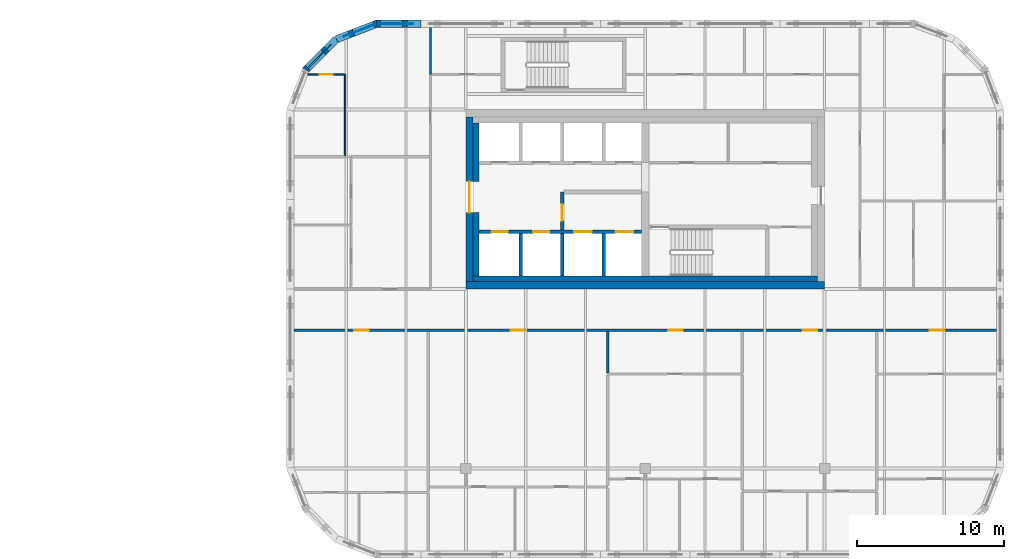
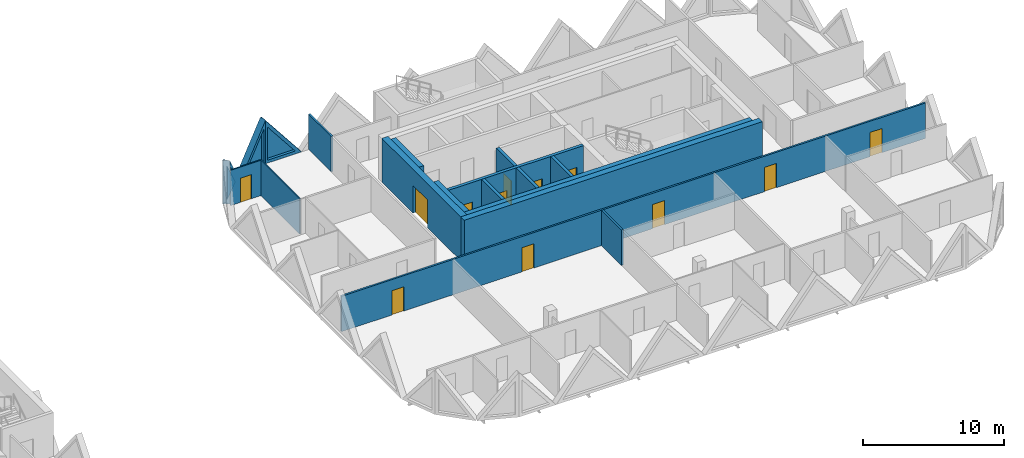
# One storey, part 13 of 19: 18 walls, 12 doors, 3 plates, 15 openings.
"""IFC4 building model written with IfcOpenShell, lengths in metres."""

from ifc_helpers import new_model, si_unit, direction, frame, frame_2d, origin, place, context, subcontext, project, spatial, polyline, rectangle, outline, extrude, faceted_brep, source, transform, mapped, material, layer, layer_set, type_object, element, fill, save


model = new_model("IFC4")

# Units and contexts
model_context = context("Model", 3, precision=1e-05, world=origin(), true_north=direction((0.0, 1.0)))
body_context = subcontext(model_context, "Body", "Model", "MODEL_VIEW")
ifc_project = project(units=[si_unit("LENGTHUNIT", "METRE"), si_unit("AREAUNIT", "SQUARE_METRE"), si_unit("VOLUMEUNIT", "CUBIC_METRE"), si_unit("PLANEANGLEUNIT", "RADIAN"), si_unit("MASSUNIT", "GRAM", prefix="KILO")], contexts=[model_context])

# Site, building, storey
site_placement = place(None, origin())
site = spatial("IfcSite", under=ifc_project, at=site_placement, CompositionType="ELEMENT")
building_placement = place(site_placement, origin())
building = spatial("IfcBuilding", under=site, at=building_placement, Name="Tessera Gate Towers", CompositionType="ELEMENT")
storey_placement = place(building_placement, frame((0.0, 0.0, 68.60009765625)))
storey = spatial("IfcBuildingStorey", under=building, at=storey_placement, Name="L16", CompositionType="ELEMENT", Elevation=68.60009765625)

# Wall, openings, doors
ifc_material_1 = material(Name="Concrete C40/50", Category="concrete")
ifc_layer_1 = layer(ifc_material_1, 0.25)
ifc_layer_set_1 = layer_set([ifc_layer_1], Name="CORE ENCLOSURE WALL 250")
wall_type_1 = type_object("IfcWallType", Name="CORE ENCLOSURE WALL 250", PredefinedType="SOLIDWALL", material=ifc_layer_set_1)
wall_1_placement = place(storey_placement, frame((98.5, 40.5, 0.0), z_axis=(0.0, 0.0, 1.0), x_axis=(1.0, 0.0, 0.0)))
wall_1 = element("IfcWall", 1, at=wall_1_placement, inside=storey, type_object=wall_type_1, Name="L16 shaft and stair enclosure wall", PredefinedType="SOLIDWALL", context=body_context, shape_type="SweptSolid", body=[
    extrude(rectangle(XDim=11.050048828125, YDim=0.25, at=frame_2d((5.52490234375, 0.0))), origin(), (0.0, 0.0, 1.0), 3.7998046875),
])
shared_shape_1 = source(origin(), body_context, "Body", "SweptSolid", [
    extrude(rectangle(XDim=1.10009765625, YDim=2.10009765625, at=frame_2d((0.550048828125, 1.050048828125))), frame((0.0, 0.135009765625, 0.0), z_axis=(0.0, -1.0, 0.0), x_axis=(1.0, 0.0, 0.0)), (0.0, 0.0, 1.0), 0.27001953125),
])
opening_1_placement = place(wall_1_placement, frame((0.862548828125, 0.0, 0.0)))
opening_1 = element("IfcOpeningElement", 2, at=opening_1_placement, cuts=wall_1, Name="Opening LD-TL1", PredefinedType="OPENING", context=body_context, shape_type="MappedRepresentation", body=[
    mapped(shared_shape_1, transform((0.0, 0.0, 0.0), scale=1.0)),
])
opening_2_placement = place(wall_1_placement, frame((3.6875, 0.0, 0.0)))
opening_2 = element("IfcOpeningElement", 3, at=opening_2_placement, cuts=wall_1, Name="Opening LD-TL2", PredefinedType="OPENING", context=body_context, shape_type="MappedRepresentation", body=[
    mapped(shared_shape_1, transform((0.0, 0.0, 0.0), scale=1.0)),
])
shared_shape_2 = source(origin(), body_context, "Body", "SweptSolid", [
    extrude(rectangle(XDim=1.199951171875, YDim=2.10009765625, at=frame_2d((0.60009765625, 1.050048828125))), frame((0.0, 0.135009765625, 0.0), z_axis=(0.0, -1.0, 0.0), x_axis=(1.0, 0.0, 0.0)), (0.0, 0.0, 1.0), 0.27001953125),
])
opening_3_placement = place(wall_1_placement, frame((6.46240234375, 0.0, 0.0)))
opening_3 = element("IfcOpeningElement", 4, at=opening_3_placement, cuts=wall_1, Name="Opening LD-FF3", PredefinedType="OPENING", context=body_context, shape_type="MappedRepresentation", body=[
    mapped(shared_shape_2, transform((0.0, 0.0, 0.0), scale=1.0)),
])
opening_4_placement = place(wall_1_placement, frame((9.28759765625, 0.0, 0.0)))
opening_4 = element("IfcOpeningElement", 5, at=opening_4_placement, cuts=wall_1, Name="Opening LD-FF4", PredefinedType="OPENING", context=body_context, shape_type="MappedRepresentation", body=[
    mapped(shared_shape_2, transform((0.0, 0.0, 0.0), scale=1.0)),
])
ifc_material_2 = material(Name="Stainless steel", Category="steel")
door_type_1 = type_object("IfcDoorType", Name="CORE DOOR LD1200 1200x2100", OperationType="DOUBLE_DOOR_SLIDING", PredefinedType="DOOR", material=ifc_material_2)
shared_shape_3 = source(origin(), body_context, "Body", "SweptSolid", [
    extrude(rectangle(XDim=1.199951171875, YDim=2.10009765625, at=frame_2d((0.60009765625, 1.050048828125))), frame((0.0, 0.02490234375, 0.0), z_axis=(0.0, -1.0, 0.0), x_axis=(1.0, 0.0, 0.0)), (0.0, 0.0, 1.0), 0.050048828125),
])
door_1_placement = place(opening_3_placement, origin())
door_1 = element("IfcDoor", 6, at=door_1_placement, inside=storey, type_object=door_type_1, Name="Landing door FF3 L16", OperationType="DOUBLE_DOOR_SLIDING", OverallHeight=2.10009765625, OverallWidth=1.199951171875, PredefinedType="DOOR", context=body_context, shape_type="MappedRepresentation", body=[
    mapped(shared_shape_3, transform((0.0, 0.0, 0.0), scale=1.0)),
])
fill(opening_3, door_1)
door_2_placement = place(opening_4_placement, origin())
door_2 = element("IfcDoor", 7, at=door_2_placement, inside=storey, type_object=door_type_1, Name="Landing door FF4 L16", OperationType="DOUBLE_DOOR_SLIDING", OverallHeight=2.10009765625, OverallWidth=1.199951171875, PredefinedType="DOOR", context=body_context, shape_type="MappedRepresentation", body=[
    mapped(shared_shape_3, transform((0.0, 0.0, 0.0), scale=1.0)),
])
fill(opening_4, door_2)
ifc_material_3 = material(Name="Stainless steel", Category="steel")
door_type_2 = type_object("IfcDoorType", Name="CORE DOOR LD 1100x2100", OperationType="DOUBLE_DOOR_SLIDING", PredefinedType="DOOR", material=ifc_material_3)
shared_shape_4 = source(origin(), body_context, "Body", "SweptSolid", [
    extrude(rectangle(XDim=1.10009765625, YDim=2.10009765625, at=frame_2d((0.550048828125, 1.050048828125))), frame((0.0, 0.02490234375, 0.0), z_axis=(0.0, -1.0, 0.0), x_axis=(1.0, 0.0, 0.0)), (0.0, 0.0, 1.0), 0.050048828125),
])
door_3_placement = place(opening_1_placement, origin())
door_3 = element("IfcDoor", 8, at=door_3_placement, inside=storey, type_object=door_type_2, Name="Landing door TL1 L16", OperationType="DOUBLE_DOOR_SLIDING", OverallHeight=2.10009765625, OverallWidth=1.10009765625, PredefinedType="DOOR", context=body_context, shape_type="MappedRepresentation", body=[
    mapped(shared_shape_4, transform((0.0, 0.0, 0.0), scale=1.0)),
])
fill(opening_1, door_3)
door_4_placement = place(opening_2_placement, origin())
door_4 = element("IfcDoor", 9, at=door_4_placement, inside=storey, type_object=door_type_2, Name="Landing door TL2 L16", OperationType="DOUBLE_DOOR_SLIDING", OverallHeight=2.10009765625, OverallWidth=1.10009765625, PredefinedType="DOOR", context=body_context, shape_type="MappedRepresentation", body=[
    mapped(shared_shape_4, transform((0.0, 0.0, 0.0), scale=1.0)),
])
fill(opening_2, door_4)

# Wall
wall_2_placement = place(storey_placement, frame((104.14990234375, 37.5, 0.0), z_axis=(0.0, 0.0, 1.0), x_axis=(0.0, 1.0, 0.0)))
element("IfcWall", 10, at=wall_2_placement, inside=storey, type_object=wall_type_1, Name="L16 shaft and stair enclosure wall", PredefinedType="SOLIDWALL", context=body_context, shape_type="SweptSolid", body=[
    extrude(rectangle(XDim=2.875, YDim=0.25, at=frame_2d((1.4375, 0.0))), origin(), (0.0, 0.0, 1.0), 3.7998046875),
])

# Wall, opening, door
wall_3_placement = place(storey_placement, frame((104.14990234375, 43.199951171875, 0.0), z_axis=(0.0, 0.0, 1.0), x_axis=(0.0, -1.0, 0.0)))
wall_3 = element("IfcWall", 11, at=wall_3_placement, inside=storey, type_object=wall_type_1, Name="L16 shaft and stair enclosure wall", PredefinedType="SOLIDWALL", context=body_context, shape_type="SweptSolid", body=[
    extrude(rectangle(XDim=2.574951171875, YDim=0.25, at=frame_2d((1.28759765625, 0.0))), origin(), (0.0, 0.0, 1.0), 3.7998046875),
])
opening_5_placement = place(wall_3_placement, frame((0.85009765625, 0.0, 0.0)))
opening_5 = element("IfcOpeningElement", 12, at=opening_5_placement, cuts=wall_3, Name="Opening FD-T2-09-03", PredefinedType="OPENING", context=body_context, shape_type="MappedRepresentation", body=[
    mapped(shared_shape_1, transform((0.0, 0.0, 0.0), scale=1.0)),
])
ifc_material_4 = material(Name="Hollow steel fire door", Category="steel")
door_type_3 = type_object("IfcDoorType", Name="CORE DOOR FD 1100x2100", OperationType="NOTDEFINED", PredefinedType="DOOR", material=ifc_material_4)
door_5_placement = place(opening_5_placement, origin())
door_5 = element("IfcDoor", 13, at=door_5_placement, inside=storey, type_object=door_type_3, Name="Fire-fighting lobby door", OperationType="SINGLE_SWING_RIGHT", OverallHeight=2.10009765625, OverallWidth=1.10009765625, PredefinedType="DOOR", context=body_context, shape_type="MappedRepresentation", body=[
    mapped(shared_shape_4, transform((0.0, 0.0, 0.0), scale=1.0)),
])
fill(opening_5, door_5)

# Walls
for number, where, z_axis, x_axis, name in (
    (14, (101.324951171875, 37.5, 0.0), (0.0, 0.0, 1.0), (0.0, 1.0, 0.0), "L16 shaft and stair enclosure wall"),
    (15, (106.97509765625, 37.5, 0.0), (0.0, 0.0, 1.0), (0.0, 1.0, 0.0), "L16 shaft and stair enclosure wall"),
):
    element("IfcWall", number, at=place(storey_placement, frame(where, z_axis=z_axis, x_axis=x_axis)), inside=storey, type_object=wall_type_1, Name=name, PredefinedType="SOLIDWALL", context=body_context, shape_type="SweptSolid", body=[
        extrude(rectangle(XDim=2.875, YDim=0.25, at=frame_2d((1.4375, 0.0))), origin(), (0.0, 0.0, 1.0), 3.7998046875),
    ])
ifc_material_5 = material(Name="Concrete C50/60", Category="concrete")
ifc_layer_2 = layer(ifc_material_5, 0.5)
ifc_layer_set_2 = layer_set([ifc_layer_2], Name="CORE SHEAR WALL 500 C50/60")
wall_type_2 = type_object("IfcWallType", Name="CORE SHEAR WALL 500 C50/60", PredefinedType="SHEAR", material=ifc_layer_set_2)
wall_4_placement = place(storey_placement, frame((122.0, 36.85009765625, 0.0), z_axis=(0.0, 0.0, 1.0), x_axis=(-1.0, 0.0, 0.0)))
element("IfcWall", 16, at=wall_4_placement, inside=storey, type_object=wall_type_2, Name="Core wall S L16", PredefinedType="SHEAR", context=body_context, shape_type="SweptSolid", body=[
    extrude(rectangle(XDim=24.39990234375, YDim=0.5, at=frame_2d((12.199951171875, 0.0))), origin(), (0.0, 0.0, 1.0), 3.7998046875),
])

# Wall, opening, door
wall_5_placement = place(storey_placement, frame((97.85009765625, 37.10009765625, 0.0), z_axis=(0.0, 0.0, 1.0), x_axis=(0.0, 1.0, 0.0)))
wall_5 = element("IfcWall", 17, at=wall_5_placement, inside=storey, type_object=wall_type_2, Name="Core wall W L16", PredefinedType="SHEAR", context=body_context, shape_type="SweptSolid", body=[
    extrude(rectangle(XDim=11.199951171875, YDim=0.5, at=frame_2d((5.60009765625, 0.0))), origin(), (0.0, 0.0, 1.0), 3.7998046875),
])
shared_shape_5 = source(origin(), body_context, "Body", "SweptSolid", [
    extrude(rectangle(XDim=2.10009765625, YDim=2.39990234375, at=frame_2d((1.050048828125, 1.199951171875))), frame((0.0, 0.260009765625, 0.0), z_axis=(0.0, -1.0, 0.0), x_axis=(1.0, 0.0, 0.0)), (0.0, 0.0, 1.0), 0.52001953125),
])
opening_6_placement = place(wall_5_placement, frame((4.699951171875, 0.0, 0.0)))
opening_6 = element("IfcOpeningElement", 18, at=opening_6_placement, cuts=wall_5, Name="Opening DD-T2-09-01", PredefinedType="OPENING", context=body_context, shape_type="MappedRepresentation", body=[
    mapped(shared_shape_5, transform((0.0, 0.0, 0.0), scale=1.0)),
])
ifc_material_6 = material(Name="Hollow steel fire door", Category="steel")
door_type_4 = type_object("IfcDoorType", Name="CORE DOOR DD 2100x2400", OperationType="NOTDEFINED", PredefinedType="DOOR", material=ifc_material_6)
shared_shape_6 = source(origin(), body_context, "Body", "SweptSolid", [
    extrude(rectangle(XDim=2.10009765625, YDim=2.39990234375, at=frame_2d((1.050048828125, 1.199951171875))), frame((0.0, 0.02490234375, 0.0), z_axis=(0.0, -1.0, 0.0), x_axis=(1.0, 0.0, 0.0)), (0.0, 0.0, 1.0), 0.050048828125),
])
door_6_placement = place(opening_6_placement, origin())
door_6 = element("IfcDoor", 19, at=door_6_placement, inside=storey, type_object=door_type_4, Name="Core entrance door", OperationType="DOUBLE_DOOR_SINGLE_SWING", OverallHeight=2.39990234375, OverallWidth=2.10009765625, PredefinedType="DOOR", context=body_context, shape_type="MappedRepresentation", body=[
    mapped(shared_shape_6, transform((0.0, 0.0, 0.0), scale=1.0)),
])
fill(opening_6, door_6)

# Walls
ifc_material_7 = material(Name="Concrete C50/60", Category="concrete")
ifc_layer_3 = layer(ifc_material_7, 0.39990234375)
ifc_layer_set_3 = layer_set([ifc_layer_3], Name="CORE WALL THICKENING 400")
wall_type_3 = type_object("IfcWallType", Name="CORE WALL THICKENING 400", PredefinedType="SOLIDWALL", material=ifc_layer_set_3)
wall_6_placement = place(storey_placement, frame((98.10009765625, 37.300048828125, 0.0), z_axis=(0.0, 0.0, 1.0), x_axis=(1.0, 0.0, 0.0)))
element("IfcWall", 20, at=wall_6_placement, inside=storey, type_object=wall_type_3, Name="Core wall thickening S L16", PredefinedType="SOLIDWALL", context=body_context, shape_type="SweptSolid", body=[
    extrude(rectangle(XDim=23.39990234375, YDim=0.39990234375, at=frame_2d((11.699951171875, 0.0))), origin(), (0.0, 0.0, 1.0), 3.7998046875),
])
wall_7_placement = place(storey_placement, frame((98.300048828125, 37.5, 0.0), z_axis=(0.0, 0.0, 1.0), x_axis=(0.0, 1.0, 0.0)))
element("IfcWall", 21, at=wall_7_placement, inside=storey, type_object=wall_type_3, Name="Core wall thickening W L16", PredefinedType="SOLIDWALL", context=body_context, shape_type="SweptSolid", body=[
    extrude(rectangle(XDim=4.300048828125, YDim=0.39990234375, at=frame_2d((2.14990234375, 0.0))), origin(), (0.0, 0.0, 1.0), 3.7998046875),
])
wall_8_placement = place(storey_placement, frame((98.300048828125, 43.89990234375, 0.0), z_axis=(0.0, 0.0, 1.0), x_axis=(0.0, 1.0, 0.0)))
element("IfcWall", 22, at=wall_8_placement, inside=storey, type_object=wall_type_3, Name="Core wall thickening W L16", PredefinedType="SOLIDWALL", context=body_context, shape_type="SweptSolid", body=[
    extrude(rectangle(XDim=4.0, YDim=0.39990234375, at=frame_2d((2.0, 0.0))), origin(), (0.0, 0.0, 1.0), 3.7998046875),
])

# Wall, openings, doors
ifc_material_8 = material(Name="Gypsum board on steel studs, mineral wool", Category="steel")
ifc_layer_4 = layer(ifc_material_8, 0.14990234375)
ifc_layer_set_4 = layer_set([ifc_layer_4], Name="CORRIDOR WALL 150")
wall_type_4 = type_object("IfcWallType", Name="CORRIDOR WALL 150", PredefinedType="PARTITIONING", material=ifc_layer_set_4)
wall_9_placement = place(storey_placement, frame((133.699951171875, 33.800048828125, 0.0), z_axis=(0.0, 0.0, 1.0), x_axis=(-1.0, 0.0, 0.0)))
wall_9 = element("IfcWall", 23, at=wall_9_placement, inside=storey, type_object=wall_type_4, Name="T2-L16-PW-027", PredefinedType="PARTITIONING", context=body_context, shape_type="SweptSolid", body=[
    extrude(rectangle(XDim=47.800048828125, YDim=0.14990234375, at=frame_2d((23.89990234375, 0.0))), origin(), (0.0, 0.0, 1.0), 3.06689453125),
])
shared_shape_7 = source(origin(), body_context, "Body", "SweptSolid", [
    extrude(rectangle(XDim=1.0, YDim=2.10009765625, at=frame_2d((0.5, 1.050048828125))), frame((0.0, 0.0849609375, 0.0), z_axis=(0.0, -1.0, 0.0), x_axis=(1.0, 0.0, 0.0)), (0.0, 0.0, 1.0), 0.169921875),
])
opening_7_placement = place(wall_9_placement, frame((3.549072265625, 0.0, 0.0)))
opening_7 = element("IfcOpeningElement", 24, at=opening_7_placement, cuts=wall_9, Name="Opening D2100FD60-B07-04", PredefinedType="OPENING", context=body_context, shape_type="MappedRepresentation", body=[
    mapped(shared_shape_7, transform((0.0, 0.0, 0.0), scale=1.0)),
])
opening_8_placement = place(wall_9_placement, frame((42.699951171875, 0.0, 0.0)))
opening_8 = element("IfcOpeningElement", 25, at=opening_8_placement, cuts=wall_9, Name="Opening D2100FD60-B07-05", PredefinedType="OPENING", context=body_context, shape_type="MappedRepresentation", body=[
    mapped(shared_shape_7, transform((0.0, 0.0, 0.0), scale=1.0)),
])
opening_9_placement = place(wall_9_placement, frame((12.198974609375, 0.0, 0.0)))
opening_9 = element("IfcOpeningElement", 26, at=opening_9_placement, cuts=wall_9, Name="Opening D2100FD60-B07-06", PredefinedType="OPENING", context=body_context, shape_type="MappedRepresentation", body=[
    mapped(shared_shape_7, transform((0.0, 0.0, 0.0), scale=1.0)),
])
opening_10_placement = place(wall_9_placement, frame((21.34912109375, 0.0, 0.0)))
opening_10 = element("IfcOpeningElement", 27, at=opening_10_placement, cuts=wall_9, Name="Opening D2100FD60-B07-07", PredefinedType="OPENING", context=body_context, shape_type="MappedRepresentation", body=[
    mapped(shared_shape_7, transform((0.0, 0.0, 0.0), scale=1.0)),
])
opening_11_placement = place(wall_9_placement, frame((32.050048828125, 0.0, 0.0)))
opening_11 = element("IfcOpeningElement", 28, at=opening_11_placement, cuts=wall_9, Name="Opening D2100FD60-B07-08", PredefinedType="OPENING", context=body_context, shape_type="MappedRepresentation", body=[
    mapped(shared_shape_7, transform((0.0, 0.0, 0.0), scale=1.0)),
])
ifc_material_9 = material(Name="Timber door leaf in steel frame", Category="steel")
door_type_5 = type_object("IfcDoorType", Name="TENANCY ENTRANCE DOOR 1000 FD60", OperationType="NOTDEFINED", PredefinedType="DOOR", material=ifc_material_9)
shared_shape_8 = source(origin(), body_context, "Body", "SweptSolid", [
    extrude(rectangle(XDim=1.0, YDim=2.10009765625, at=frame_2d((0.5, 1.050048828125))), frame((0.0, 0.02490234375, 0.0), z_axis=(0.0, -1.0, 0.0), x_axis=(1.0, 0.0, 0.0)), (0.0, 0.0, 1.0), 0.050048828125),
])
door_7_placement = place(opening_7_placement, origin())
door_7 = element("IfcDoor", 29, at=door_7_placement, inside=storey, type_object=door_type_5, Name="T2-L16-PD-018", OperationType="SINGLE_SWING_RIGHT", OverallHeight=2.10009765625, OverallWidth=1.0, PredefinedType="DOOR", context=body_context, shape_type="MappedRepresentation", body=[
    mapped(shared_shape_8, transform((0.0, 0.0, 0.0), scale=1.0)),
])
fill(opening_7, door_7)
door_8_placement = place(opening_8_placement, origin())
door_8 = element("IfcDoor", 30, at=door_8_placement, inside=storey, type_object=door_type_5, Name="T2-L16-PD-021", OperationType="SINGLE_SWING_RIGHT", OverallHeight=2.10009765625, OverallWidth=1.0, PredefinedType="DOOR", context=body_context, shape_type="MappedRepresentation", body=[
    mapped(shared_shape_8, transform((0.0, 0.0, 0.0), scale=1.0)),
])
fill(opening_8, door_8)
door_9_placement = place(opening_9_placement, origin())
door_9 = element("IfcDoor", 31, at=door_9_placement, inside=storey, type_object=door_type_5, Name="T2-L16-PD-022", OperationType="SINGLE_SWING_RIGHT", OverallHeight=2.10009765625, OverallWidth=1.0, PredefinedType="DOOR", context=body_context, shape_type="MappedRepresentation", body=[
    mapped(shared_shape_8, transform((0.0, 0.0, 0.0), scale=1.0)),
])
fill(opening_9, door_9)
door_10_placement = place(opening_10_placement, origin())
door_10 = element("IfcDoor", 32, at=door_10_placement, inside=storey, type_object=door_type_5, Name="T2-L16-PD-023", OperationType="SINGLE_SWING_RIGHT", OverallHeight=2.10009765625, OverallWidth=1.0, PredefinedType="DOOR", context=body_context, shape_type="MappedRepresentation", body=[
    mapped(shared_shape_8, transform((0.0, 0.0, 0.0), scale=1.0)),
])
fill(opening_10, door_10)
door_11_placement = place(opening_11_placement, origin())
door_11 = element("IfcDoor", 33, at=door_11_placement, inside=storey, type_object=door_type_5, Name="T2-L16-PD-027", OperationType="SINGLE_SWING_RIGHT", OverallHeight=2.10009765625, OverallWidth=1.0, PredefinedType="DOOR", context=body_context, shape_type="MappedRepresentation", body=[
    mapped(shared_shape_8, transform((0.0, 0.0, 0.0), scale=1.0)),
])
fill(opening_11, door_11)

# Wall
ifc_material_10 = material(Name="Gypsum board on steel studs", Category="steel")
ifc_layer_5 = layer(ifc_material_10, 0.10009765625)
ifc_layer_set_5 = layer_set([ifc_layer_5], Name="PARTITION 100")
wall_type_5 = type_object("IfcWallType", Name="PARTITION 100", PredefinedType="PARTITIONING", material=ifc_layer_set_5)
wall_10_placement = place(storey_placement, frame((89.39501953125, 45.676025390625, 0.0), z_axis=(0.0, 0.0, 1.0), x_axis=(0.0, 1.0, 0.0)))
element("IfcWall", 34, at=wall_10_placement, inside=storey, type_object=wall_type_5, Name="T2-L16-PW-042", PredefinedType="PARTITIONING", context=body_context, shape_type="SweptSolid", body=[
    extrude(rectangle(XDim=5.52392578125, YDim=0.10009765625, at=frame_2d((2.761962890625, 0.0))), origin(), (0.0, 0.0, 1.0), 3.06689453125),
])

# Wall, opening, door
wall_11_placement = place(storey_placement, frame((89.343994140625, 51.199951171875, 0.0), z_axis=(0.0, 0.0, 1.0), x_axis=(-1.0, 0.0, 0.0)))
wall_11 = element("IfcWall", 35, at=wall_11_placement, inside=storey, type_object=wall_type_5, Name="T2-L16-PW-043", PredefinedType="PARTITIONING", context=body_context, shape_type="SweptSolid", body=[
    extrude(rectangle(XDim=2.482177734375, YDim=0.10009765625, at=frame_2d((1.2412109375, 0.0))), origin(), (0.0, 0.0, 1.0), 3.06689453125),
])
shared_shape_9 = source(origin(), body_context, "Body", "SweptSolid", [
    extrude(rectangle(XDim=0.89990234375, YDim=2.10009765625, at=frame_2d((0.449951171875, 1.050048828125))), frame((0.0, 0.06005859375, 0.0), z_axis=(0.0, -1.0, 0.0), x_axis=(1.0, 0.0, 0.0)), (0.0, 0.0, 1.0), 0.1201171875),
])
opening_12_placement = place(wall_11_placement, frame((0.7822265625, 0.0, 0.0)))
opening_12 = element("IfcOpeningElement", 36, at=opening_12_placement, cuts=wall_11, Name="Opening D190-B07-10", PredefinedType="OPENING", context=body_context, shape_type="MappedRepresentation", body=[
    mapped(shared_shape_9, transform((0.0, 0.0, 0.0), scale=1.0)),
])
ifc_material_11 = material(Name="Timber door leaf in steel frame", Category="steel")
door_type_6 = type_object("IfcDoorType", Name="INTERNAL DOOR 900 NOT RATED", OperationType="NOTDEFINED", PredefinedType="DOOR", material=ifc_material_11)
shared_shape_10 = source(origin(), body_context, "Body", "SweptSolid", [
    extrude(rectangle(XDim=0.89990234375, YDim=2.10009765625, at=frame_2d((0.449951171875, 1.050048828125))), frame((0.0, 0.02490234375, 0.0), z_axis=(0.0, -1.0, 0.0), x_axis=(1.0, 0.0, 0.0)), (0.0, 0.0, 1.0), 0.050048828125),
])
door_12_placement = place(opening_12_placement, origin())
door_12 = element("IfcDoor", 37, at=door_12_placement, inside=storey, type_object=door_type_6, Name="T2-L16-PD-016", OperationType="SINGLE_SWING_RIGHT", OverallHeight=2.10009765625, OverallWidth=0.89990234375, PredefinedType="DOOR", context=body_context, shape_type="MappedRepresentation", body=[
    mapped(shared_shape_10, transform((0.0, 0.0, 0.0), scale=1.0)),
])
fill(opening_12, door_12)

# Walls
ifc_material_12 = material(Name="Gypsum board on steel studs, mineral wool", Category="steel")
ifc_layer_6 = layer(ifc_material_12, 0.14990234375)
ifc_layer_set_6 = layer_set([ifc_layer_6], Name="TENANCY WALL 150")
wall_type_6 = type_object("IfcWallType", Name="TENANCY WALL 150", PredefinedType="PARTITIONING", material=ifc_layer_set_6)
wall_12_placement = place(storey_placement, frame((107.25, 30.90087890625, 0.0), z_axis=(0.0, 0.0, 1.0), x_axis=(0.0, 1.0, 0.0)))
element("IfcWall", 38, at=wall_12_placement, inside=storey, type_object=wall_type_6, Name="T2-L16-PW-024", PredefinedType="PARTITIONING", context=body_context, shape_type="SweptSolid", body=[
    extrude(rectangle(XDim=2.8232421875, YDim=0.14990234375, at=frame_2d((1.41162109375, 0.0))), origin(), (0.0, 0.0, 1.0), 3.06689453125),
])
wall_13_placement = place(storey_placement, frame((95.199951171875, 51.200927734375, 0.0), z_axis=(0.0, 0.0, 1.0), x_axis=(0.0, 1.0, 0.0)))
element("IfcWall", 39, at=wall_13_placement, inside=storey, type_object=wall_type_6, Name="T2-L16-PW-044", PredefinedType="PARTITIONING", context=body_context, shape_type="SweptSolid", body=[
    extrude(rectangle(XDim=3.198974609375, YDim=0.14990234375, at=frame_2d((1.599609375, 0.0))), origin(), (0.0, 0.0, 1.0), 3.06689453125),
])

# Wall, opening, plate
ifc_material_13 = material(Name="Precast concrete C60/75 white", Category="concrete")
ifc_layer_7 = layer(ifc_material_13, 0.5)
ifc_layer_set_7 = layer_set([ifc_layer_7], Name="TS3 corner tessera")
wall_type_7 = type_object("IfcWallType", Name="TS3 corner tessera", PredefinedType="SOLIDWALL", material=ifc_layer_set_7)
shared_shape_11 = source(origin(), body_context, "Body", "Brep", [
    faceted_brep([(3.050048828125, -0.25, 3.73974609375), (3.00341796875, -0.25, 3.7998046875), (0.0, -0.25, 0.0), (3.050048828125, -0.25, 0.0), (0.0, 0.25, 0.0), (2.956787109375, 0.25, 3.740966796875), (2.956787109375, 0.25, 0.0), (3.00341796875, 0.000244140625, 3.7998046875)], [[[0, 1, 2, 3]], [[4, 5, 6]], [[7, 1, 0]], [[5, 4, 2, 1, 7]], [[4, 6, 3, 2]], [[3, 6, 5, 7, 0]]]),
])
wall_14_placement = place(storey_placement, frame((94.550048828125, 54.64990234375, 0.0), z_axis=(0.0, 0.0, 1.0), x_axis=(-1.0, 0.0, 0.0)))
wall_14 = element("IfcWall", 40, at=wall_14_placement, inside=storey, type_object=wall_type_7, Name="Precast corner tessera T2 TS3-0235", PredefinedType="SOLIDWALL", context=body_context, shape_type="MappedRepresentation", body=[
    mapped(shared_shape_11, transform((0.0, 0.0, 0.0), scale=1.0)),
])
shared_shape_12 = source(origin(), body_context, "Body", "SweptSolid", [
    extrude(outline(polyline([(2.803466796875, 3.143798828125), (0.516357421875, 0.25), (2.803466796875, 0.25), (2.803466796875, 3.143798828125)])), frame((0.0, 0.260009765625, 0.0), z_axis=(0.0, -1.0, 0.0), x_axis=(1.0, 0.0, 0.0)), (0.0, 0.0, 1.0), 0.52001953125),
])
opening_13_placement = place(wall_14_placement, origin())
opening_13 = element("IfcOpeningElement", 41, at=opening_13_placement, cuts=wall_14, Name="Opening T2-PL1-0160", PredefinedType="OPENING", context=body_context, shape_type="MappedRepresentation", body=[
    mapped(shared_shape_12, transform((0.0, 0.0, 0.0), scale=1.0)),
])
ifc_material_14 = material(Name="Low-e laminated glass", Category="glass")
ifc_layer_8 = layer(ifc_material_14, 0.06005859375)
ifc_layer_set_8 = layer_set([ifc_layer_8], Name="PL1 triangular pane")
plate_type = type_object("IfcPlateType", Name="PL1 triangular pane", PredefinedType="SHEET", material=ifc_layer_set_8)
shared_shape_13 = source(origin(), body_context, "Body", "SweptSolid", [
    extrude(outline(polyline([(2.803466796875, 3.143798828125), (0.516357421875, 0.25), (2.803466796875, 0.25), (2.803466796875, 3.143798828125)])), frame((0.0, 0.030029296875, 0.0), z_axis=(0.0, -1.0, 0.0), x_axis=(1.0, 0.0, 0.0)), (0.0, 0.0, 1.0), 0.06005859375),
])
plate_1_placement = place(opening_13_placement, origin())
plate_1 = element("IfcPlate", 42, at=plate_1_placement, inside=storey, type_object=plate_type, Name="Glass pane T2 PL1-0160", PredefinedType="SHEET", context=body_context, shape_type="MappedRepresentation", body=[
    mapped(shared_shape_13, transform((0.0, 0.0, 0.0), scale=1.0)),
])
fill(opening_13, plate_1)

shared_shape_14 = source(origin(), body_context, "Body", "Brep", [
    faceted_brep([(2.9970703125, -0.25, 3.731689453125), (2.944091796875, -0.25, 3.7998046875), (0.0, -0.25, 0.0), (2.9970703125, -0.25, 0.0), (0.052978515625, 0.25, 0.068359375), (2.89111328125, 0.25, 3.731689453125), (2.89111328125, 0.25, 0.0), (0.052978515625, 0.25, 0.0), (2.944091796875, 0.000244140625, 3.7998046875), (0.0, 0.0, 0.0)], [[[0, 1, 2, 3]], [[4, 5, 6, 7]], [[8, 1, 0]], [[5, 4, 9, 2, 1, 8]], [[7, 6, 3, 2, 9]], [[7, 9, 4]], [[3, 6, 5, 8, 0]]]),
])
wall_15_placement = place(storey_placement, frame((88.793701171875, 53.588134765625, 0.0), z_axis=(0.0, 0.0, 1.0), x_axis=(-0.707066050402, -0.707147509625, 0.0)))
wall_15 = element("IfcWall", 43, at=wall_15_placement, inside=storey, type_object=wall_type_7, Name="Precast corner tessera T2 TS3-0237", PredefinedType="SOLIDWALL", context=body_context, shape_type="MappedRepresentation", body=[
    mapped(shared_shape_14, transform((0.0, 0.0, 0.0), scale=1.0)),
])
shared_shape_15 = source(origin(), body_context, "Body", "SweptSolid", [
    extrude(outline(polyline([(2.744140625, 3.133544921875), (0.510009765625, 0.25), (2.744140625, 0.25), (2.744140625, 3.133544921875)])), frame((0.0, 0.260009765625, 0.0), z_axis=(0.0, -1.0, 0.0), x_axis=(1.0, 0.0, 0.0)), (0.0, 0.0, 1.0), 0.52001953125),
])
opening_14_placement = place(wall_15_placement, origin())
opening_14 = element("IfcOpeningElement", 44, at=opening_14_placement, cuts=wall_15, Name="Opening T2-PL1-0162", PredefinedType="OPENING", context=body_context, shape_type="MappedRepresentation", body=[
    mapped(shared_shape_15, transform((0.0, 0.0, 0.0), scale=1.0)),
])
shared_shape_16 = source(origin(), body_context, "Body", "SweptSolid", [
    extrude(outline(polyline([(2.744140625, 3.133544921875), (0.510009765625, 0.25), (2.744140625, 0.25), (2.744140625, 3.133544921875)])), frame((0.0, 0.030029296875, 0.0), z_axis=(0.0, -1.0, 0.0), x_axis=(1.0, 0.0, 0.0)), (0.0, 0.0, 1.0), 0.06005859375),
])
plate_2_placement = place(opening_14_placement, origin())
plate_2 = element("IfcPlate", 45, at=plate_2_placement, inside=storey, type_object=plate_type, Name="Glass pane T2 PL1-0162", PredefinedType="SHEET", context=body_context, shape_type="MappedRepresentation", body=[
    mapped(shared_shape_16, transform((0.0, 0.0, 0.0), scale=1.0)),
])
fill(opening_14, plate_2)

shared_shape_17 = source(origin(), body_context, "Body", "Brep", [
    faceted_brep([(2.9970703125, -0.25, 0.0), (0.046630859375, -0.25, 3.7998046875), (0.0, -0.25, 3.740966796875), (0.0, -0.25, 0.0), (0.09326171875, 0.25, 3.73974609375), (2.9443359375, 0.25, 0.068115234375), (2.9443359375, 0.25, 0.0), (0.09326171875, 0.25, 0.0), (0.046630859375, 0.0, 3.7998046875), (2.9970703125, 0.00048828125, 0.0)], [[[0, 1, 2, 3]], [[4, 5, 6, 7]], [[5, 4, 8, 1, 0, 9]], [[2, 1, 8]], [[7, 6, 9, 0, 3]], [[7, 3, 2, 8, 4]], [[9, 6, 5]]]),
])
wall_16_placement = place(storey_placement, frame((91.590087890625, 54.666748046875, 0.0), z_axis=(0.0, 0.0, 1.0), x_axis=(-0.933000876937, -0.359874094142, 0.0)))
wall_16 = element("IfcWall", 46, at=wall_16_placement, inside=storey, type_object=wall_type_7, Name="Precast corner tessera T2 TS3-0236", PredefinedType="SOLIDWALL", context=body_context, shape_type="MappedRepresentation", body=[
    mapped(shared_shape_17, transform((0.0, 0.0, 0.0), scale=1.0)),
])
shared_shape_18 = source(origin(), body_context, "Body", "SweptSolid", [
    extrude(outline(polyline([(2.486572265625, 0.25), (0.24658203125, 3.134765625), (0.24658203125, 0.25), (2.486572265625, 0.25)])), frame((0.0, 0.260009765625, 0.0), z_axis=(0.0, -1.0, 0.0), x_axis=(1.0, 0.0, 0.0)), (0.0, 0.0, 1.0), 0.52001953125),
])
opening_15_placement = place(wall_16_placement, origin())
opening_15 = element("IfcOpeningElement", 47, at=opening_15_placement, cuts=wall_16, Name="Opening T2-PL1-0161", PredefinedType="OPENING", context=body_context, shape_type="MappedRepresentation", body=[
    mapped(shared_shape_18, transform((0.0, 0.0, 0.0), scale=1.0)),
])
shared_shape_19 = source(origin(), body_context, "Body", "SweptSolid", [
    extrude(outline(polyline([(2.486572265625, 0.25), (0.24658203125, 3.134765625), (0.24658203125, 0.25), (2.486572265625, 0.25)])), frame((0.0, 0.030029296875, 0.0), z_axis=(0.0, -1.0, 0.0), x_axis=(1.0, 0.0, 0.0)), (0.0, 0.0, 1.0), 0.06005859375),
])
plate_3_placement = place(opening_15_placement, origin())
plate_3 = element("IfcPlate", 48, at=plate_3_placement, inside=storey, type_object=plate_type, Name="Glass pane T2 PL1-0161", PredefinedType="SHEET", context=body_context, shape_type="MappedRepresentation", body=[
    mapped(shared_shape_19, transform((0.0, 0.0, 0.0), scale=1.0)),
])
fill(opening_15, plate_3)

save(model, "model.ifc")
